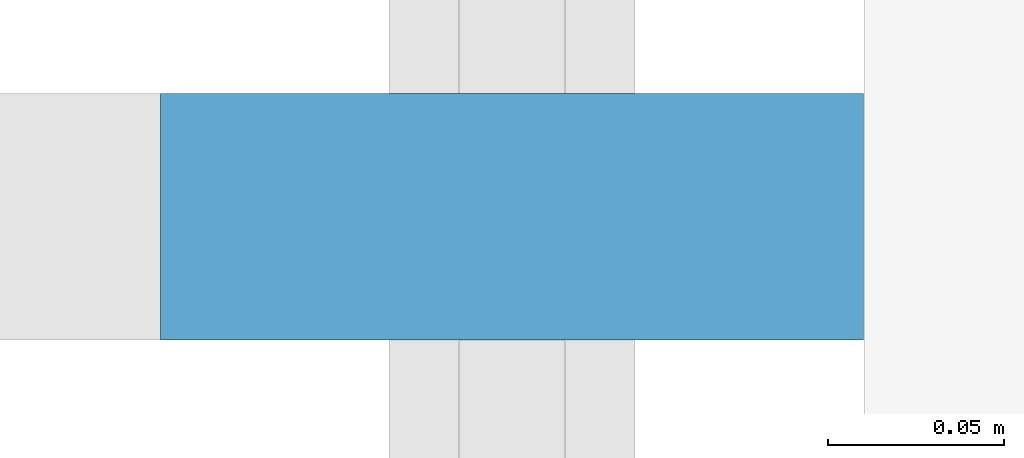
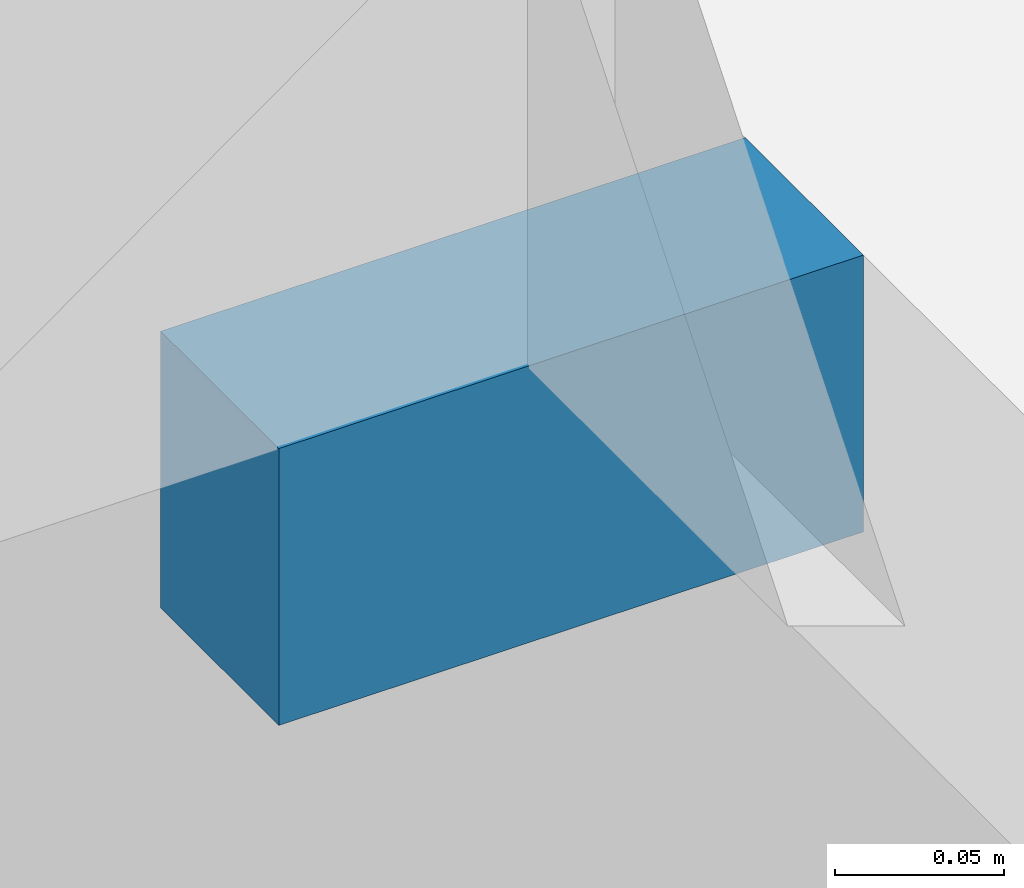
# One storey, part 12 of 16: 1 discrete accessory.
"""IFC4 building model written with IfcOpenShell, lengths in metres."""

from ifc_helpers import new_model, si_unit, direction, frame, origin, origin_2d, place, context, subcontext, project, spatial, rectangle, extrude, element, save


model = new_model("IFC4")

# Units and contexts
model_context = context("Model", 3, precision=1e-05, world=origin(), true_north=direction((0.0, 1.0)))
body_context = subcontext(model_context, "Body", "Model", "MODEL_VIEW")
ifc_project = project(units=[si_unit("LENGTHUNIT", "METRE"), si_unit("AREAUNIT", "SQUARE_METRE"), si_unit("VOLUMEUNIT", "CUBIC_METRE"), si_unit("PLANEANGLEUNIT", "RADIAN"), si_unit("MASSUNIT", "GRAM", prefix="KILO")], contexts=[model_context])

# Site, building, storey
site_placement = place(None, origin())
site = spatial("IfcSite", under=ifc_project, at=site_placement, CompositionType="ELEMENT")
building_placement = place(site_placement, origin())
building = spatial("IfcBuilding", under=site, at=building_placement, Name="Daluyong Arena Tower", CompositionType="ELEMENT")
storey_placement = place(building_placement, frame((0.0, 0.0, 214.89990234375)))
storey = spatial("IfcBuildingStorey", under=building, at=storey_placement, Name="L48", CompositionType="ELEMENT", Elevation=214.89990234375)

# Discrete accessory
discrete_accessory_placement = place(storey_placement, frame((34.25, 87.386474609375, -0.099853515625), z_axis=(0.0, 0.0, 1.0), x_axis=(0.0, -1.0, 0.0)))
element("IfcDiscreteAccessory", 1, at=discrete_accessory_placement, inside=storey, Name="curtain wall L48 W anchor bracket 4", PredefinedType="BRACKET", context=body_context, shape_type="SweptSolid", body=[
    extrude(rectangle(XDim=0.070068359375, YDim=0.199951171875, at=origin_2d()), origin(), (0.0, 0.0, 1.0), 0.10009765625),
])

save(model, "model.ifc")
